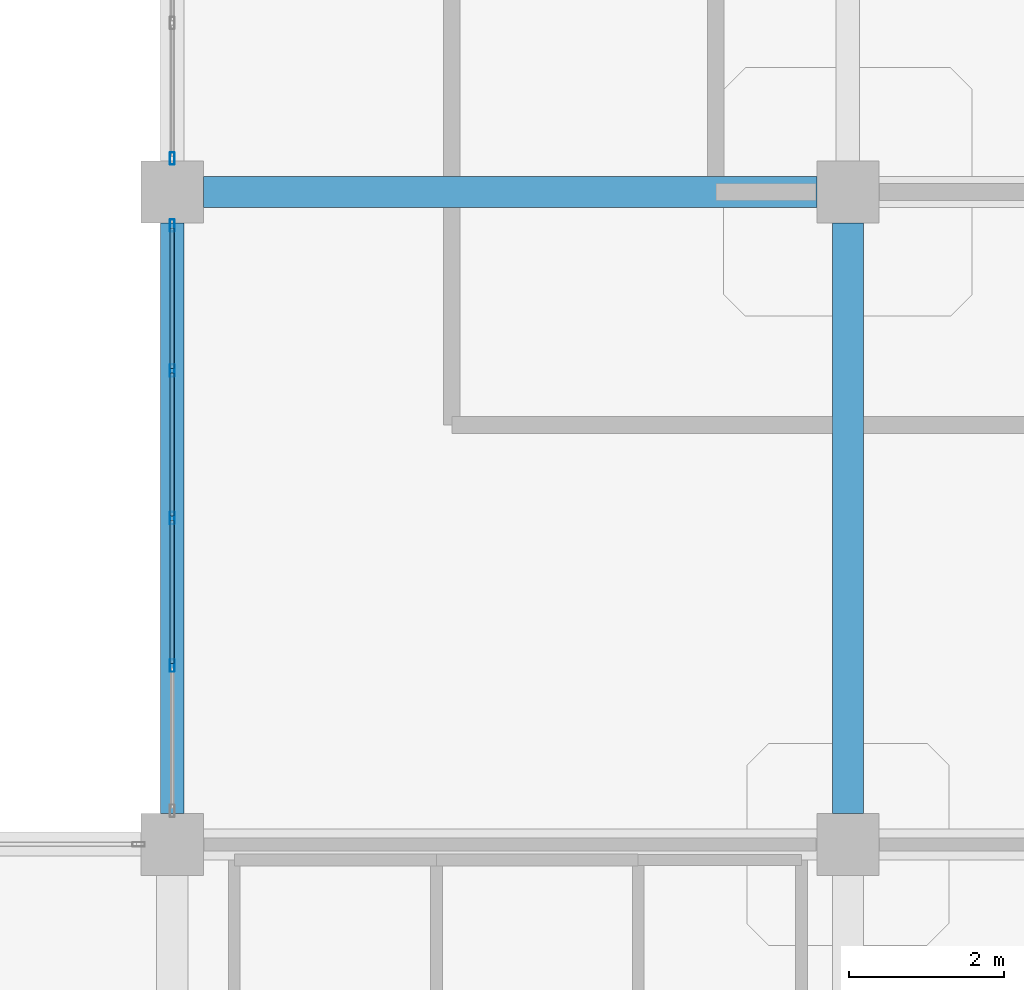
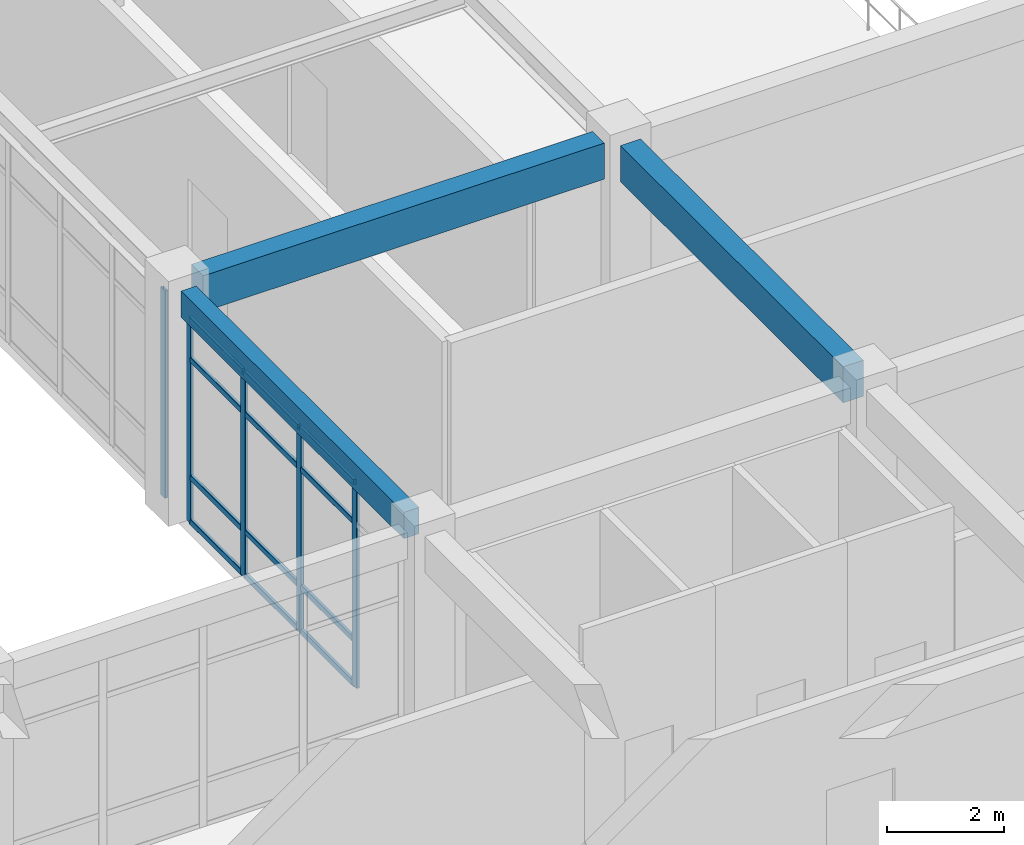
# One storey, part 22 of 96: 17 members, 3 beams, 2 elements without a shape of their own.
"""IFC4 building model written with IfcOpenShell, lengths in metres."""

from ifc_helpers import new_model, si_unit, derived_unit, direction, frame, origin, origin_2d, place, context, subcontext, project, spatial, rectangle, hollow_rectangle, extrude, material, layer, layer_set, material_profile, profile_set, type_object, element, aggregate, save


model = new_model("IFC4")

# Units and contexts
model_context = context("Model", 3, precision=1e-05, world=origin(), true_north=direction((0.0, 1.0)))
body_context = subcontext(model_context, "Body", "Model", "MODEL_VIEW")
ifc_project = project(units=[si_unit("LENGTHUNIT", "METRE"), si_unit("AREAUNIT", "SQUARE_METRE"), si_unit("VOLUMEUNIT", "CUBIC_METRE"), si_unit("PLANEANGLEUNIT", "RADIAN"), si_unit("MASSUNIT", "GRAM", prefix="KILO"), derived_unit("THERMALTRANSMITTANCEUNIT", [(si_unit("MASSUNIT", "GRAM", prefix="KILO"), 1), (si_unit("TIMEUNIT", "SECOND"), -3), (si_unit("THERMODYNAMICTEMPERATUREUNIT", "KELVIN"), -1)])], contexts=[model_context])

# Site, building, storey
site_placement = place(None, origin())
site = spatial("IfcSite", under=ifc_project, at=site_placement, CompositionType="ELEMENT")
building_placement = place(site_placement, origin())
building = spatial("IfcBuilding", under=site, at=building_placement, Name="Qinzheling Arcade Emporium", CompositionType="ELEMENT")
storey_placement = place(building_placement, frame((0.0, 0.0, 21.60009765625)))
storey = spatial("IfcBuildingStorey", under=building, at=storey_placement, Name="L05", CompositionType="ELEMENT", Elevation=21.60009765625)

# Curtain wall, members
ifc_material_1 = material(Name="Anodised aluminium and solar-control double glazing", Category="aluminium")
ifc_layer = layer(ifc_material_1, 0.159912109375, Name="Anodised aluminium and solar-control double glazing", Category="aluminium")
ifc_layer_set = layer_set([ifc_layer], Name="Anodised aluminium and solar-control double glazing")
curtain_wall_type = type_object("IfcCurtainWallType", Name="Atrium Clerestory Curtain Wall", PredefinedType="NOTDEFINED", material=ifc_layer_set)
curtain_wall_1_placement = place(storey_placement, origin())
curtain_wall_1 = element("IfcCurtainWall", 1, at=curtain_wall_1_placement, inside=storey, type_object=curtain_wall_type, Name="Curtain Wall CW-L05-316", PredefinedType="NOTDEFINED")
ifc_material_2 = material(Name="Anodised aluminium 6063-T6", Category="aluminium")
ifc_material_profile_1 = material_profile(ifc_material_2, hollow_rectangle(XDim=0.06005859375, YDim=0.159912109375, WallThickness=0.00390625, InnerFilletRadius=0.00390625, OuterFilletRadius=0.008056640625, at=origin_2d()), Name="RHS 160x60x4", Category="aluminium")
ifc_profile_set_1 = profile_set([ifc_material_profile_1], Name="Anodised aluminium 6063-T6")
member_type_1 = type_object("IfcMemberType", Name="Curtain Wall Mullion RHS160x60", PredefinedType="MULLION", material=ifc_profile_set_1)
member_1_placement = place(storey_placement, frame((34.800048828125, 44.301025390625, 0.0), z_axis=(0.0, 0.0, 1.0), x_axis=(-1.0, 0.0, 0.0)))
member_1 = element("IfcMember", 2, at=member_1_placement, type_object=member_type_1, Name="CW03 mullion 2", PredefinedType="MULLION", context=body_context, shape_type="SweptSolid", body=[
    extrude(hollow_rectangle(XDim=0.06005859375, YDim=0.159912109375, WallThickness=0.00390625, InnerFilletRadius=0.00390625, OuterFilletRadius=0.008056640625, at=origin_2d()), origin(), (0.0, 0.0, 1.0), 4.2548828125),
])
member_2_placement = place(storey_placement, frame((34.800048828125, 46.199951171875, 0.0), z_axis=(0.0, 0.0, 1.0), x_axis=(-1.0, 0.0, 0.0)))
member_2 = element("IfcMember", 3, at=member_2_placement, type_object=member_type_1, Name="CW03 mullion 3", PredefinedType="MULLION", context=body_context, shape_type="SweptSolid", body=[
    extrude(hollow_rectangle(XDim=0.06005859375, YDim=0.159912109375, WallThickness=0.00390625, InnerFilletRadius=0.00390625, OuterFilletRadius=0.008056640625, at=origin_2d()), origin(), (0.0, 0.0, 1.0), 4.2548828125),
])
member_3_placement = place(storey_placement, frame((34.800048828125, 48.09912109375, 0.0), z_axis=(0.0, 0.0, 1.0), x_axis=(-1.0, 0.0, 0.0)))
member_3 = element("IfcMember", 4, at=member_3_placement, type_object=member_type_1, Name="CW03 mullion 4", PredefinedType="MULLION", context=body_context, shape_type="SweptSolid", body=[
    extrude(hollow_rectangle(XDim=0.06005859375, YDim=0.159912109375, WallThickness=0.00390625, InnerFilletRadius=0.00390625, OuterFilletRadius=0.008056640625, at=origin_2d()), origin(), (0.0, 0.0, 1.0), 4.2548828125),
])
member_4_placement = place(storey_placement, frame((34.800048828125, 49.968017578125, 0.0), z_axis=(0.0, 0.0, 1.0), x_axis=(-1.0, 0.0, 0.0)))
member_4 = element("IfcMember", 5, at=member_4_placement, type_object=member_type_1, Name="CW03 mullion 5", PredefinedType="MULLION", context=body_context, shape_type="SweptSolid", body=[
    extrude(hollow_rectangle(XDim=0.06005859375, YDim=0.159912109375, WallThickness=0.00390625, InnerFilletRadius=0.00390625, OuterFilletRadius=0.008056640625, at=origin_2d()), origin(), (0.0, 0.0, 1.0), 4.2548828125),
])

# Curtain wall, member
curtain_wall_2_placement = place(storey_placement, origin())
curtain_wall_2 = element("IfcCurtainWall", 6, at=curtain_wall_2_placement, inside=storey, type_object=curtain_wall_type, Name="Curtain Wall CW-L05-317", PredefinedType="NOTDEFINED")
member_5_placement = place(storey_placement, frame((34.800048828125, 50.83203125, 0.0), z_axis=(0.0, 0.0, 1.0), x_axis=(-1.0, 0.0, 0.0)))
member_5 = element("IfcMember", 7, at=member_5_placement, type_object=member_type_1, Name="CW03 mullion 1", PredefinedType="MULLION", context=body_context, shape_type="SweptSolid", body=[
    extrude(hollow_rectangle(XDim=0.06005859375, YDim=0.159912109375, WallThickness=0.00390625, InnerFilletRadius=0.00390625, OuterFilletRadius=0.008056640625, at=origin_2d()), origin(), (0.0, 0.0, 1.0), 4.31689453125),
])
aggregate(curtain_wall_2, [member_5])

# Member
ifc_material_profile_2 = material_profile(ifc_material_2, hollow_rectangle(XDim=0.06005859375, YDim=0.1201171875, WallThickness=0.00390625, InnerFilletRadius=0.00390625, OuterFilletRadius=0.008056640625, at=origin_2d()), Name="RHS 120x60x4", Category="aluminium")
ifc_profile_set_2 = profile_set([ifc_material_profile_2], Name="Anodised aluminium 6063-T6")
member_type_2 = type_object("IfcMemberType", Name="Curtain Wall Transom RHS120x60", PredefinedType="USERDEFINED", material=ifc_profile_set_2)
member_6_placement = place(storey_placement, frame((34.800048828125, 44.3310546875, 0.02978515625), z_axis=(0.0, 1.0, 0.0), x_axis=(-1.0, 0.0, 0.0)))
member_6 = element("IfcMember", 8, at=member_6_placement, type_object=member_type_2, Name="CW03 transom 2.1", ObjectType="TRANSOM", PredefinedType="USERDEFINED", context=body_context, shape_type="SweptSolid", body=[
    extrude(hollow_rectangle(XDim=0.06005859375, YDim=0.1201171875, WallThickness=0.00390625, InnerFilletRadius=0.00390625, OuterFilletRadius=0.008056640625, at=origin_2d()), origin(), (0.0, 0.0, 1.0), 1.8388671875),
])

member_7_placement = place(storey_placement, frame((34.800048828125, 44.3310546875, 0.949951171875), z_axis=(0.0, 1.0, 0.0), x_axis=(-1.0, 0.0, 0.0)))
member_7 = element("IfcMember", 9, at=member_7_placement, type_object=member_type_2, Name="CW03 transom 2.2", ObjectType="TRANSOM", PredefinedType="USERDEFINED", context=body_context, shape_type="SweptSolid", body=[
    extrude(hollow_rectangle(XDim=0.06005859375, YDim=0.1201171875, WallThickness=0.00390625, InnerFilletRadius=0.00390625, OuterFilletRadius=0.008056640625, at=origin_2d()), origin(), (0.0, 0.0, 1.0), 1.8388671875),
])

member_8_placement = place(storey_placement, frame((34.800048828125, 44.3310546875, 3.40478515625), z_axis=(0.0, 1.0, 0.0), x_axis=(-1.0, 0.0, 0.0)))
member_8 = element("IfcMember", 10, at=member_8_placement, type_object=member_type_2, Name="CW03 transom 2.3", ObjectType="TRANSOM", PredefinedType="USERDEFINED", context=body_context, shape_type="SweptSolid", body=[
    extrude(hollow_rectangle(XDim=0.06005859375, YDim=0.1201171875, WallThickness=0.00390625, InnerFilletRadius=0.00390625, OuterFilletRadius=0.008056640625, at=origin_2d()), origin(), (0.0, 0.0, 1.0), 1.8388671875),
])

member_9_placement = place(storey_placement, frame((34.800048828125, 44.3310546875, 4.224853515625), z_axis=(0.0, 1.0, 0.0), x_axis=(-1.0, 0.0, 0.0)))
member_9 = element("IfcMember", 11, at=member_9_placement, type_object=member_type_2, Name="CW03 transom 2.4", ObjectType="TRANSOM", PredefinedType="USERDEFINED", context=body_context, shape_type="SweptSolid", body=[
    extrude(hollow_rectangle(XDim=0.06005859375, YDim=0.1201171875, WallThickness=0.00390625, InnerFilletRadius=0.00390625, OuterFilletRadius=0.008056640625, at=origin_2d()), origin(), (0.0, 0.0, 1.0), 1.8388671875),
])

member_10_placement = place(storey_placement, frame((34.800048828125, 46.22998046875, 0.02978515625), z_axis=(0.0, 1.0, 0.0), x_axis=(-1.0, 0.0, 0.0)))
member_10 = element("IfcMember", 12, at=member_10_placement, type_object=member_type_2, Name="CW03 transom 3.1", ObjectType="TRANSOM", PredefinedType="USERDEFINED", context=body_context, shape_type="SweptSolid", body=[
    extrude(hollow_rectangle(XDim=0.06005859375, YDim=0.1201171875, WallThickness=0.00390625, InnerFilletRadius=0.00390625, OuterFilletRadius=0.008056640625, at=origin_2d()), origin(), (0.0, 0.0, 1.0), 1.839111328125),
])

member_11_placement = place(storey_placement, frame((34.800048828125, 46.22998046875, 0.949951171875), z_axis=(0.0, 1.0, 0.0), x_axis=(-1.0, 0.0, 0.0)))
member_11 = element("IfcMember", 13, at=member_11_placement, type_object=member_type_2, Name="CW03 transom 3.2", ObjectType="TRANSOM", PredefinedType="USERDEFINED", context=body_context, shape_type="SweptSolid", body=[
    extrude(hollow_rectangle(XDim=0.06005859375, YDim=0.1201171875, WallThickness=0.00390625, InnerFilletRadius=0.00390625, OuterFilletRadius=0.008056640625, at=origin_2d()), origin(), (0.0, 0.0, 1.0), 1.839111328125),
])

member_12_placement = place(storey_placement, frame((34.800048828125, 46.22998046875, 3.40478515625), z_axis=(0.0, 1.0, 0.0), x_axis=(-1.0, 0.0, 0.0)))
member_12 = element("IfcMember", 14, at=member_12_placement, type_object=member_type_2, Name="CW03 transom 3.3", ObjectType="TRANSOM", PredefinedType="USERDEFINED", context=body_context, shape_type="SweptSolid", body=[
    extrude(hollow_rectangle(XDim=0.06005859375, YDim=0.1201171875, WallThickness=0.00390625, InnerFilletRadius=0.00390625, OuterFilletRadius=0.008056640625, at=origin_2d()), origin(), (0.0, 0.0, 1.0), 1.839111328125),
])

member_13_placement = place(storey_placement, frame((34.800048828125, 46.22998046875, 4.224853515625), z_axis=(0.0, 1.0, 0.0), x_axis=(-1.0, 0.0, 0.0)))
member_13 = element("IfcMember", 15, at=member_13_placement, type_object=member_type_2, Name="CW03 transom 3.4", ObjectType="TRANSOM", PredefinedType="USERDEFINED", context=body_context, shape_type="SweptSolid", body=[
    extrude(hollow_rectangle(XDim=0.06005859375, YDim=0.1201171875, WallThickness=0.00390625, InnerFilletRadius=0.00390625, OuterFilletRadius=0.008056640625, at=origin_2d()), origin(), (0.0, 0.0, 1.0), 1.839111328125),
])

member_14_placement = place(storey_placement, frame((34.800048828125, 48.12890625, 0.02978515625), z_axis=(0.0, 1.0, 0.0), x_axis=(-1.0, 0.0, 0.0)))
member_14 = element("IfcMember", 16, at=member_14_placement, type_object=member_type_2, Name="CW03 transom 4.1", ObjectType="TRANSOM", PredefinedType="USERDEFINED", context=body_context, shape_type="SweptSolid", body=[
    extrude(hollow_rectangle(XDim=0.06005859375, YDim=0.1201171875, WallThickness=0.00390625, InnerFilletRadius=0.00390625, OuterFilletRadius=0.008056640625, at=origin_2d()), origin(), (0.0, 0.0, 1.0), 1.80908203125),
])

member_15_placement = place(storey_placement, frame((34.800048828125, 48.12890625, 0.949951171875), z_axis=(0.0, 1.0, 0.0), x_axis=(-1.0, 0.0, 0.0)))
member_15 = element("IfcMember", 17, at=member_15_placement, type_object=member_type_2, Name="CW03 transom 4.2", ObjectType="TRANSOM", PredefinedType="USERDEFINED", context=body_context, shape_type="SweptSolid", body=[
    extrude(hollow_rectangle(XDim=0.06005859375, YDim=0.1201171875, WallThickness=0.00390625, InnerFilletRadius=0.00390625, OuterFilletRadius=0.008056640625, at=origin_2d()), origin(), (0.0, 0.0, 1.0), 1.80908203125),
])

member_16_placement = place(storey_placement, frame((34.800048828125, 48.12890625, 3.40478515625), z_axis=(0.0, 1.0, 0.0), x_axis=(-1.0, 0.0, 0.0)))
member_16 = element("IfcMember", 18, at=member_16_placement, type_object=member_type_2, Name="CW03 transom 4.3", ObjectType="TRANSOM", PredefinedType="USERDEFINED", context=body_context, shape_type="SweptSolid", body=[
    extrude(hollow_rectangle(XDim=0.06005859375, YDim=0.1201171875, WallThickness=0.00390625, InnerFilletRadius=0.00390625, OuterFilletRadius=0.008056640625, at=origin_2d()), origin(), (0.0, 0.0, 1.0), 1.80908203125),
])

member_17_placement = place(storey_placement, frame((34.800048828125, 48.12890625, 4.224853515625), z_axis=(0.0, 1.0, 0.0), x_axis=(-1.0, 0.0, 0.0)))
member_17 = element("IfcMember", 19, at=member_17_placement, type_object=member_type_2, Name="CW03 transom 4.4", ObjectType="TRANSOM", PredefinedType="USERDEFINED", context=body_context, shape_type="SweptSolid", body=[
    extrude(hollow_rectangle(XDim=0.06005859375, YDim=0.1201171875, WallThickness=0.00390625, InnerFilletRadius=0.00390625, OuterFilletRadius=0.008056640625, at=origin_2d()), origin(), (0.0, 0.0, 1.0), 1.80908203125),
])

aggregate(curtain_wall_1, [member_1, member_2, member_3, member_4, member_6, member_7, member_8, member_9, member_10, member_11, member_12, member_13, member_14, member_15, member_16, member_17])

# Beams
ifc_material_3 = material(Name="Concrete C40", Category="concrete")
ifc_material_profile_3 = material_profile(ifc_material_3, rectangle(XDim=0.39990234375, YDim=0.75, at=origin_2d()), Name="RC 400x750", Category="concrete")
ifc_profile_set_3 = profile_set([ifc_material_profile_3], Name="Concrete C40")
beam_type_1 = type_object("IfcBeamType", Name="RC Interior Tie Beam 400x750 C40", PredefinedType="BEAM", material=ifc_profile_set_3)
beam_1_placement = place(storey_placement, frame((35.199951171875, 50.39990234375, 4.44482421875), z_axis=(1.0, 0.0, 0.0), x_axis=(0.0, 1.0, 0.0)))
element("IfcBeam", 20, at=beam_1_placement, inside=storey, type_object=beam_type_1, Name="Beam BM-L05-X-G-5", PredefinedType="BEAM", context=body_context, shape_type="SweptSolid", body=[
    extrude(rectangle(XDim=0.39990234375, YDim=0.75, at=origin_2d()), origin(), (0.0, 0.0, 1.0), 7.900146484375),
])
beam_2_placement = place(storey_placement, frame((43.5, 42.39990234375, 4.44482421875), z_axis=(0.0, 1.0, 0.0), x_axis=(-1.0, 0.0, 0.0)))
element("IfcBeam", 21, at=beam_2_placement, inside=storey, type_object=beam_type_1, Name="Beam BM-L05-Y-6-F", PredefinedType="BEAM", context=body_context, shape_type="SweptSolid", body=[
    extrude(rectangle(XDim=0.39990234375, YDim=0.75, at=origin_2d()), origin(), (0.0, 0.0, 1.0), 7.60009765625),
])
ifc_material_profile_4 = material_profile(ifc_material_3, rectangle(XDim=0.300048828125, YDim=0.550048828125, at=origin_2d()), Name="RC 300x550", Category="concrete")
ifc_profile_set_4 = profile_set([ifc_material_profile_4], Name="Concrete C40")
beam_type_2 = type_object("IfcBeamType", Name="RC Terrace Spandrel Beam 300x550 C40", PredefinedType="SPANDREL", material=ifc_profile_set_4)
beam_3_placement = place(storey_placement, frame((34.800048828125, 42.39990234375, 4.544921875), z_axis=(0.0, 1.0, 0.0), x_axis=(-1.0, 0.0, 0.0)))
element("IfcBeam", 22, at=beam_3_placement, inside=storey, type_object=beam_type_2, Name="Beam BM-L05-Y-5-F", PredefinedType="SPANDREL", context=body_context, shape_type="SweptSolid", body=[
    extrude(rectangle(XDim=0.300048828125, YDim=0.550048828125, at=origin_2d()), origin(), (0.0, 0.0, 1.0), 7.60009765625),
])

save(model, "model.ifc")
